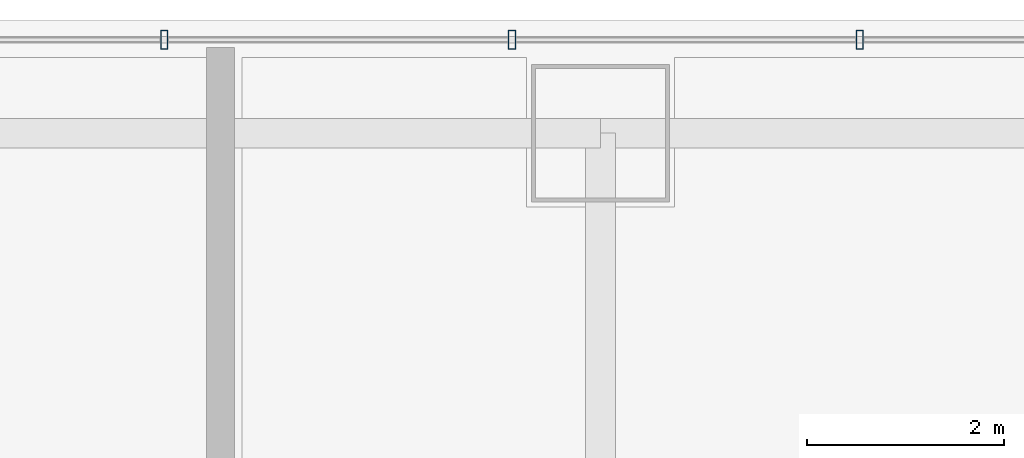
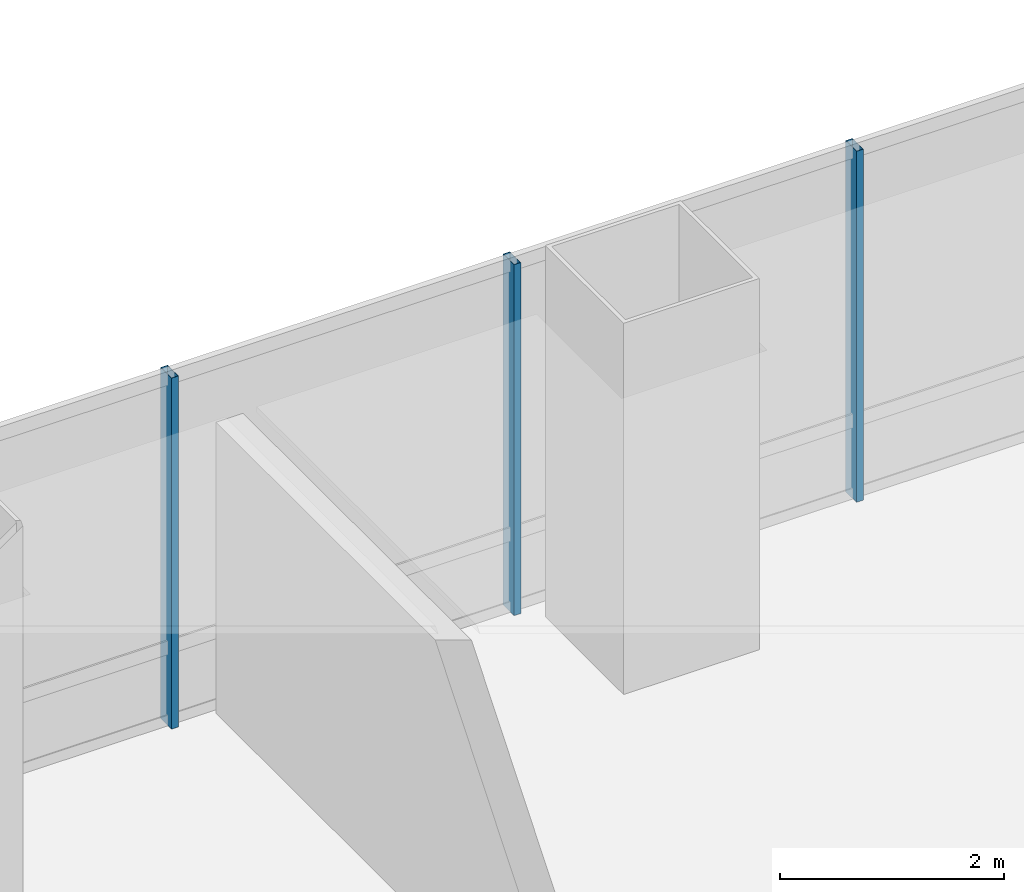
# One storey, part 24 of 36: 3 members, 1 element without a shape of its own.
"""IFC4 building model written with IfcOpenShell, lengths in metres."""

from ifc_helpers import new_model, si_unit, direction, frame, origin, origin_2d, place, context, subcontext, project, spatial, hollow_rectangle, extrude, material, material_profile, profile_set, type_object, element, aggregate, save


model = new_model("IFC4")

# Units and contexts
model_context = context("Model", 3, precision=1e-05, world=origin(), true_north=direction((0.0, 1.0)))
body_context = subcontext(model_context, "Body", "Model", "MODEL_VIEW")
ifc_project = project(units=[si_unit("LENGTHUNIT", "METRE"), si_unit("AREAUNIT", "SQUARE_METRE"), si_unit("VOLUMEUNIT", "CUBIC_METRE"), si_unit("PLANEANGLEUNIT", "RADIAN"), si_unit("MASSUNIT", "GRAM", prefix="KILO")], contexts=[model_context])

# Site, building, storey
site_placement = place(None, origin())
site = spatial("IfcSite", under=ifc_project, at=site_placement, CompositionType="ELEMENT")
building_placement = place(site_placement, origin())
building = spatial("IfcBuilding", under=site, at=building_placement, Name="Punatoya Terracotta Tower", CompositionType="ELEMENT")
storey_placement = place(building_placement, frame((0.0, 0.0, 184.35009765625)))
storey = spatial("IfcBuildingStorey", under=building, at=storey_placement, Name="L43", CompositionType="ELEMENT", Elevation=184.35009765625)

# Curtain wall, members
ifc_material_1 = material(Name="Aluminium 6063-T6 + Double Low-E Glass", Category="aluminium")
curtain_wall_type = type_object("IfcCurtainWallType", Name="CW-M2", PredefinedType="NOTDEFINED", material=ifc_material_1)
curtain_wall_placement = place(storey_placement, origin())
curtain_wall = element("IfcCurtainWall", 1, at=curtain_wall_placement, inside=storey, type_object=curtain_wall_type, Name="L43 Curtain Wall CW-L43-N09-1", PredefinedType="NOTDEFINED")
ifc_material_2 = material(Name="Aluminium 6063-T6", Category="aluminium")
ifc_material_profile = material_profile(ifc_material_2, hollow_rectangle(XDim=0.072021484375, YDim=0.195068359375, WallThickness=0.00439453125, at=origin_2d()))
ifc_profile_set = profile_set([ifc_material_profile], Name="Aluminium 6063-T6")
member_type = type_object("IfcMemberType", Name="CW-MUL-M2", PredefinedType="MULLION", material=ifc_profile_set)
member_1_placement = place(storey_placement, frame((6.43505859375, 18.449951171875, 0.0), z_axis=(0.0, 0.0, 1.0), x_axis=(1.0, 0.0, 0.0)))
member_1 = element("IfcMember", 2, at=member_1_placement, type_object=member_type, Name="CW-L43-N09-1 Mullion 03", PredefinedType="MULLION", context=body_context, shape_type="SweptSolid", body=[
    extrude(hollow_rectangle(XDim=0.072021484375, YDim=0.195068359375, WallThickness=0.00439453125, at=origin_2d()), origin(), (0.0, 0.0, 1.0), 3.829833984375),
])
member_2_placement = place(storey_placement, frame((2.90087890625, 18.449951171875, 0.0), z_axis=(0.0, 0.0, 1.0), x_axis=(1.0, 0.0, 0.0)))
member_2 = element("IfcMember", 3, at=member_2_placement, type_object=member_type, Name="CW-L43-N09-1 Mullion 04", PredefinedType="MULLION", context=body_context, shape_type="SweptSolid", body=[
    extrude(hollow_rectangle(XDim=0.072021484375, YDim=0.195068359375, WallThickness=0.00439453125, at=origin_2d()), origin(), (0.0, 0.0, 1.0), 3.829833984375),
])
member_3_placement = place(storey_placement, frame((-0.633056640625, 18.449951171875, 0.0), z_axis=(0.0, 0.0, 1.0), x_axis=(1.0, 0.0, 0.0)))
member_3 = element("IfcMember", 4, at=member_3_placement, type_object=member_type, Name="CW-L43-N09-1 Mullion 05", PredefinedType="MULLION", context=body_context, shape_type="SweptSolid", body=[
    extrude(hollow_rectangle(XDim=0.072021484375, YDim=0.195068359375, WallThickness=0.00439453125, at=origin_2d()), origin(), (0.0, 0.0, 1.0), 3.829833984375),
])
aggregate(curtain_wall, [member_1, member_2, member_3])

save(model, "model.ifc")
